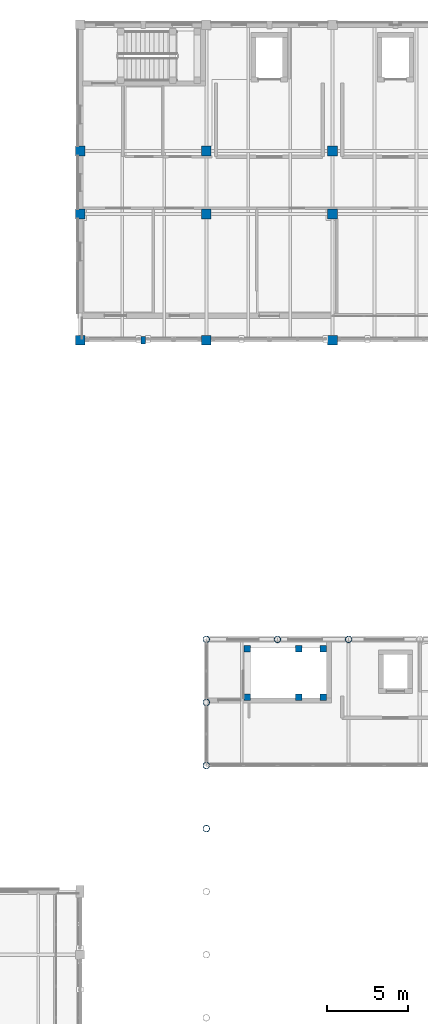
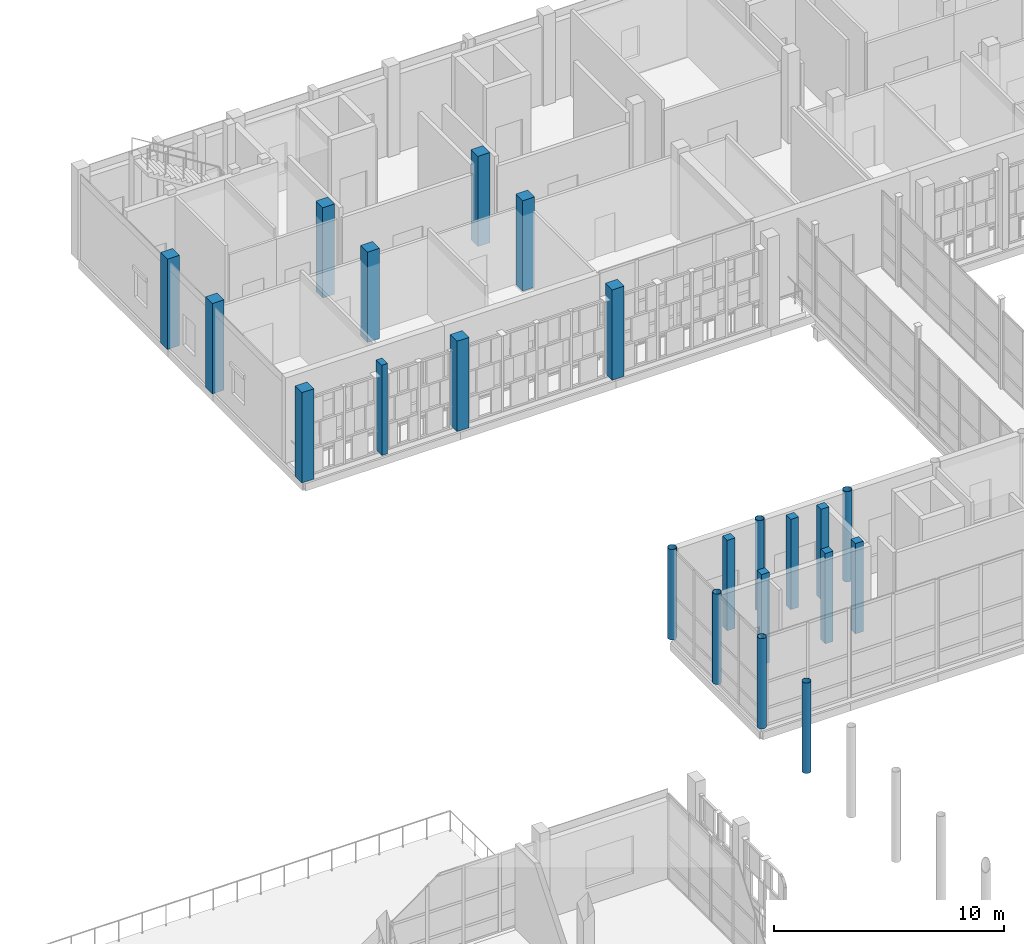
# One storey, part 9 of 138: 22 columns.
"""IFC4 building model written with IfcOpenShell, lengths in metres."""

from ifc_helpers import new_model, si_unit, direction, frame, origin, origin_2d, place, context, subcontext, project, spatial, rectangle, hollow_circle, extrude, material, material_profile, profile_set, type_object, element, save


model = new_model("IFC4")

# Units and contexts
model_context = context("Model", 3, precision=1e-05, world=origin(), true_north=direction((0.0, 1.0)))
body_context = subcontext(model_context, "Body", "Model", "MODEL_VIEW")
ifc_project = project(units=[si_unit("LENGTHUNIT", "METRE"), si_unit("AREAUNIT", "SQUARE_METRE"), si_unit("VOLUMEUNIT", "CUBIC_METRE"), si_unit("PLANEANGLEUNIT", "RADIAN"), si_unit("MASSUNIT", "GRAM", prefix="KILO")], contexts=[model_context])

# Site, building, storey
site_placement = place(None, origin())
site = spatial("IfcSite", under=ifc_project, at=site_placement, CompositionType="ELEMENT")
building_placement = place(site_placement, origin())
building = spatial("IfcBuilding", under=site, at=building_placement, Name="Celorna Specialist Clinic", CompositionType="ELEMENT")
storey_placement = place(building_placement, frame((0.0, 0.0, 4.800048828125)))
storey = spatial("IfcBuildingStorey", under=building, at=storey_placement, Name="L01", CompositionType="ELEMENT", Elevation=4.800048828125)

# Columns
ifc_material_1 = material(Name="Concrete C40/50", Category="concrete")
ifc_material_profile_1 = material_profile(ifc_material_1, rectangle(XDim=0.60009765625, YDim=0.60009765625, at=origin_2d()), Name="RC 600x600")
ifc_profile_set_1 = profile_set([ifc_material_profile_1], Name="Concrete C40/50")
column_type_1 = type_object("IfcColumnType", Name="CT-04", PredefinedType="COLUMN", material=ifc_profile_set_1)
for number, where, z_axis, x_axis, name in (
    (1, (46.800048828125, 96.5, 0.0), (0.0, 0.0, 1.0), (1.0, 0.0, 0.0), "Column CT-04 L01 X07/YR"),
    (2, (46.800048828125, 104.300048828125, 0.0), (0.0, 0.0, 1.0), (1.0, 0.0, 0.0), "Column CT-04 L01 X07/YS"),
    (3, (46.800048828125, 108.199951171875, 0.0), (0.0, 0.0, 1.0), (1.0, 0.0, 0.0), "Column CT-04 L01 X07/YT"),
    (4, (54.60009765625, 96.5, 0.0), (0.0, 0.0, 1.0), (1.0, 0.0, 0.0), "Column CT-04 L01 X08/YR"),
    (5, (54.60009765625, 104.300048828125, 0.0), (0.0, 0.0, 1.0), (1.0, 0.0, 0.0), "Column CT-04 L01 X08/YS"),
    (6, (54.60009765625, 108.199951171875, 0.0), (0.0, 0.0, 1.0), (1.0, 0.0, 0.0), "Column CT-04 L01 X08/YT"),
    (7, (62.39990234375, 96.5, 0.0), (0.0, 0.0, 1.0), (1.0, 0.0, 0.0), "Column CT-04 L01 X09/YR"),
    (8, (62.39990234375, 104.300048828125, 0.0), (0.0, 0.0, 1.0), (1.0, 0.0, 0.0), "Column CT-04 L01 X09/YS"),
    (9, (62.39990234375, 108.199951171875, 0.0), (0.0, 0.0, 1.0), (1.0, 0.0, 0.0), "Column CT-04 L01 X09/YT"),
):
    element("IfcColumn", number, at=place(storey_placement, frame(where, z_axis=z_axis, x_axis=x_axis)), inside=storey, type_object=column_type_1, Name=name, PredefinedType="COLUMN", context=body_context, shape_type="SweptSolid", body=[
        extrude(rectangle(XDim=0.60009765625, YDim=0.60009765625, at=origin_2d()), origin(), (0.0, 0.0, 1.0), 4.800048828125),
    ])
ifc_material_2 = material(Name="Concrete C35/45", Category="concrete")
ifc_material_profile_2 = material_profile(ifc_material_2, rectangle(XDim=0.39990234375, YDim=0.39990234375, at=origin_2d()), Name="RC 400x400")
ifc_profile_set_2 = profile_set([ifc_material_profile_2], Name="Concrete C35/45")
column_type_2 = type_object("IfcColumnType", Name="CT-08", PredefinedType="COLUMN", material=ifc_profile_set_2)
for number, where, z_axis, x_axis, name in (
    (10, (57.1201171875, 74.429931640625, 0.0), (0.0, 0.0, 1.0), (1.0, 0.0, 0.0), "Stair ST-10 landing column CT-08 L01 X08/YP"),
    (11, (57.1201171875, 77.429931640625, 0.0), (0.0, 0.0, 1.0), (1.0, 0.0, 0.0), "Stair ST-10 landing column CT-08 L01 X08/YP"),
    (12, (60.320068359375, 74.429931640625, 0.0), (0.0, 0.0, 1.0), (1.0, 0.0, 0.0), "Stair ST-10 landing column CT-08 L01 X09/YP"),
    (13, (60.320068359375, 77.429931640625, 0.0), (0.0, 0.0, 1.0), (1.0, 0.0, 0.0), "Stair ST-10 landing column CT-08 L01 X09/YP"),
    (14, (61.840087890625, 74.429931640625, 0.0), (0.0, 0.0, 1.0), (1.0, 0.0, 0.0), "Stair ST-10 landing column CT-08 L01 X09/YP"),
    (15, (61.840087890625, 77.429931640625, 0.0), (0.0, 0.0, 1.0), (1.0, 0.0, 0.0), "Stair ST-10 landing column CT-08 L01 X09/YP"),
):
    element("IfcColumn", number, at=place(storey_placement, frame(where, z_axis=z_axis, x_axis=x_axis)), inside=storey, type_object=column_type_2, Name=name, PredefinedType="COLUMN", context=body_context, shape_type="SweptSolid", body=[
        extrude(rectangle(XDim=0.39990234375, YDim=0.39990234375, at=origin_2d()), origin(), (0.0, 0.0, 1.0), 4.800048828125),
    ])
ifc_material_3 = material(Name="Steel S355", Category="steel")
ifc_material_profile_3 = material_profile(ifc_material_3, hollow_circle(Radius=0.203125, WallThickness=0.01611328125, at=origin_2d()), Name="CHS 406.4x16")
ifc_profile_set_3 = profile_set([ifc_material_profile_3], Name="Steel S355")
column_type_3 = type_object("IfcColumnType", Name="CT-12", PredefinedType="COLUMN", material=ifc_profile_set_3)
for number, where, z_axis, x_axis, name in (
    (16, (54.60009765625, 78.0, 0.0), (0.0, 0.0, 1.0), (1.0, 0.0, 0.0), "Column CT-12 L01 X08/YP"),
    (17, (59.0, 78.0, 0.0), (0.0, 0.0, 1.0), (1.0, 0.0, 0.0), "Column CT-12 L01 X09/YP"),
    (18, (63.39990234375, 78.0, 0.0), (0.0, 0.0, 1.0), (1.0, 0.0, 0.0), "Column CT-12 L01 X09/YP"),
    (19, (54.60009765625, 66.300048828125, 0.0), (0.0, 0.0, 1.0), (1.0, 0.0, 0.0), "Column CT-12 L01 X08/YM"),
    (20, (54.60009765625, 70.199951171875, 0.0), (0.0, 0.0, 1.0), (1.0, 0.0, 0.0), "Column CT-12 L01 X08/YN"),
    (21, (54.60009765625, 74.10009765625, 0.0), (0.0, 0.0, 1.0), (1.0, 0.0, 0.0), "Column CT-12 L01 X08/YN"),
):
    element("IfcColumn", number, at=place(storey_placement, frame(where, z_axis=z_axis, x_axis=x_axis)), inside=storey, type_object=column_type_3, Name=name, PredefinedType="COLUMN", context=body_context, shape_type="SweptSolid", body=[
        extrude(hollow_circle(Radius=0.203125, WallThickness=0.01611328125, at=origin_2d()), origin(), (0.0, 0.0, 1.0), 4.800048828125),
    ])
ifc_material_4 = material(Name="Precast concrete C40/50", Category="concrete")
ifc_material_profile_4 = material_profile(ifc_material_4, rectangle(XDim=0.300048828125, YDim=0.47998046875, at=origin_2d()), Name="PILASTER 300x480")
ifc_profile_set_4 = profile_set([ifc_material_profile_4], Name="Precast concrete C40/50")
column_type_4 = type_object("IfcColumnType", Name="CT-17", PredefinedType="PILASTER", material=ifc_profile_set_4)
column_placement = place(storey_placement, frame((50.699951171875, 96.5, 0.0), z_axis=(0.0, 0.0, 1.0), x_axis=(1.0, 0.0, 0.0)))
element("IfcColumn", 22, at=column_placement, inside=storey, type_object=column_type_4, Name="Court veranda pilaster CT-17 L01 X08/YR", PredefinedType="PILASTER", context=body_context, shape_type="SweptSolid", body=[
    extrude(rectangle(XDim=0.300048828125, YDim=0.47998046875, at=origin_2d()), origin(), (0.0, 0.0, 1.0), 4.800048828125),
])

save(model, "model.ifc")
